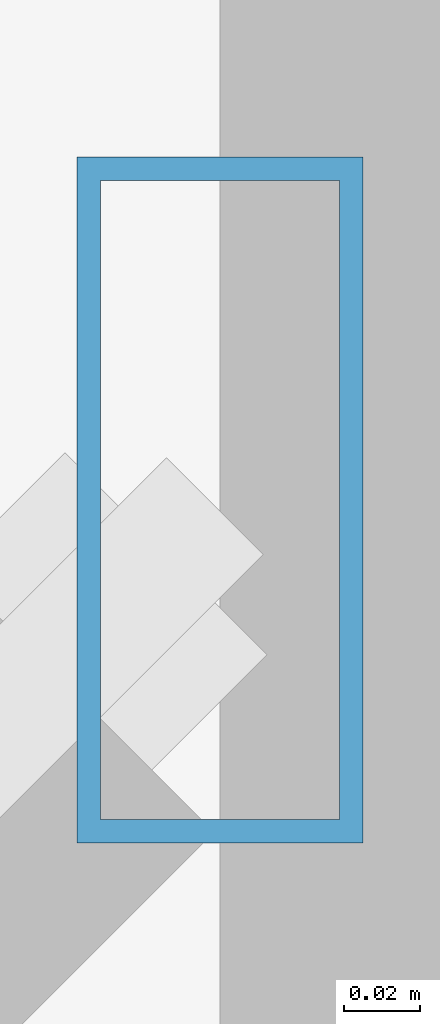
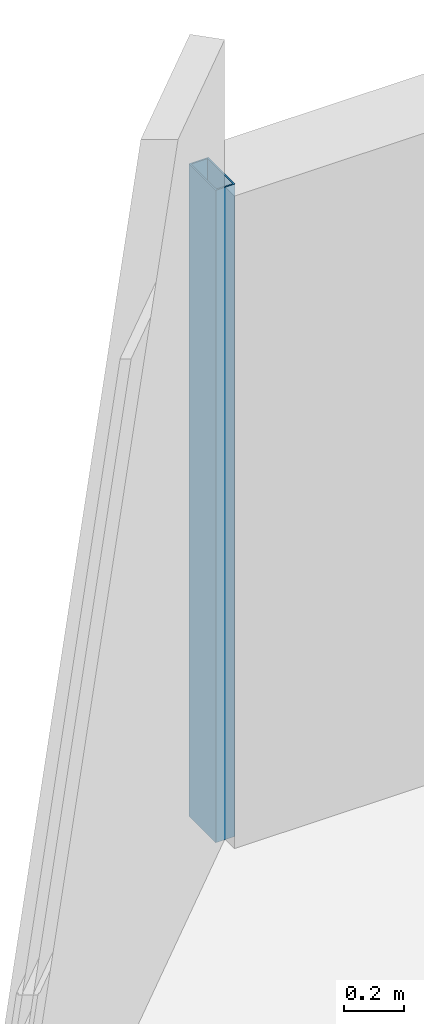
# One storey, part 18 of 35: 1 member, 1 element without a shape of its own.
"""IFC4 building model written with IfcOpenShell, lengths in metres."""

from ifc_helpers import new_model, si_unit, direction, frame, origin, origin_2d, place, context, subcontext, project, spatial, hollow_rectangle, extrude, material, material_profile, profile_set, type_object, element, aggregate, save


model = new_model("IFC4")

# Units and contexts
model_context = context("Model", 3, precision=1e-05, world=origin(), true_north=direction((0.0, 1.0)))
body_context = subcontext(model_context, "Body", "Model", "MODEL_VIEW")
ifc_project = project(units=[si_unit("LENGTHUNIT", "METRE"), si_unit("AREAUNIT", "SQUARE_METRE"), si_unit("VOLUMEUNIT", "CUBIC_METRE"), si_unit("PLANEANGLEUNIT", "RADIAN"), si_unit("MASSUNIT", "GRAM", prefix="KILO")], contexts=[model_context])

# Site, building, storey
site_placement = place(None, origin())
site = spatial("IfcSite", under=ifc_project, at=site_placement, CompositionType="ELEMENT")
building_placement = place(site_placement, origin())
building = spatial("IfcBuilding", under=site, at=building_placement, Name="Thornwick Lancets Civic Towers", CompositionType="ELEMENT")
storey_placement = place(building_placement, frame((0.0, 0.0, 276.300048828125)))
storey = spatial("IfcBuildingStorey", under=building, at=storey_placement, Name="L74", CompositionType="ELEMENT", Elevation=276.300048828125)

# Curtain wall, member
ifc_material_1 = material(Name="High-zone chamfered-corner unitised glass curtain wall", Category="glass")
curtain_wall_type = type_object("IfcCurtainWallType", Name="CW_SYS_05", PredefinedType="NOTDEFINED", material=ifc_material_1)
curtain_wall_placement = place(storey_placement, origin())
curtain_wall = element("IfcCurtainWall", 1, at=curtain_wall_placement, inside=storey, type_object=curtain_wall_type, Name="L74 Curtain Wall CW-L74-B-E5", PredefinedType="NOTDEFINED")
ifc_material_2 = material(Name="Thermally broken bronze aluminium S355", Category="steel")
ifc_material_profile = material_profile(ifc_material_2, hollow_rectangle(XDim=0.074951171875, YDim=0.179931640625, WallThickness=0.006103515625, at=origin_2d()), Name="RHS 180x75x6")
ifc_profile_set = profile_set([ifc_material_profile], Name="Thermally broken bronze aluminium S355")
member_type = type_object("IfcMemberType", Name="CW_MUL_180", PredefinedType="MULLION", material=ifc_profile_set)
member_placement = place(storey_placement, frame((73.318603515625, 50.7646484375, 0.0), z_axis=(0.0, 0.0, 1.0), x_axis=(1.0, 0.0, 0.0)))
member = element("IfcMember", 2, at=member_placement, type_object=member_type, Name="CW-L74-B-E5 Mullion 0", PredefinedType="MULLION", context=body_context, shape_type="SweptSolid", body=[
    extrude(hollow_rectangle(XDim=0.074951171875, YDim=0.179931640625, WallThickness=0.006103515625, at=origin_2d()), origin(), (0.0, 0.0, 1.0), 2.659912109375),
])
aggregate(curtain_wall, [member])

save(model, "model.ifc")
